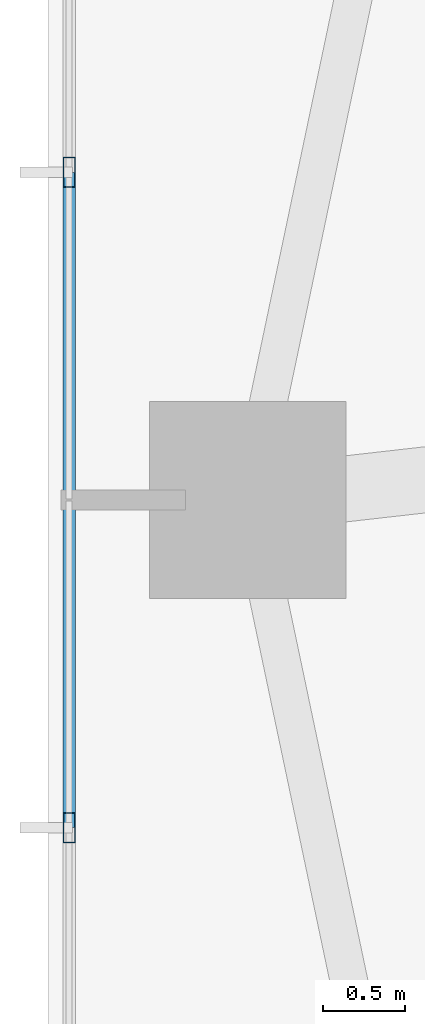
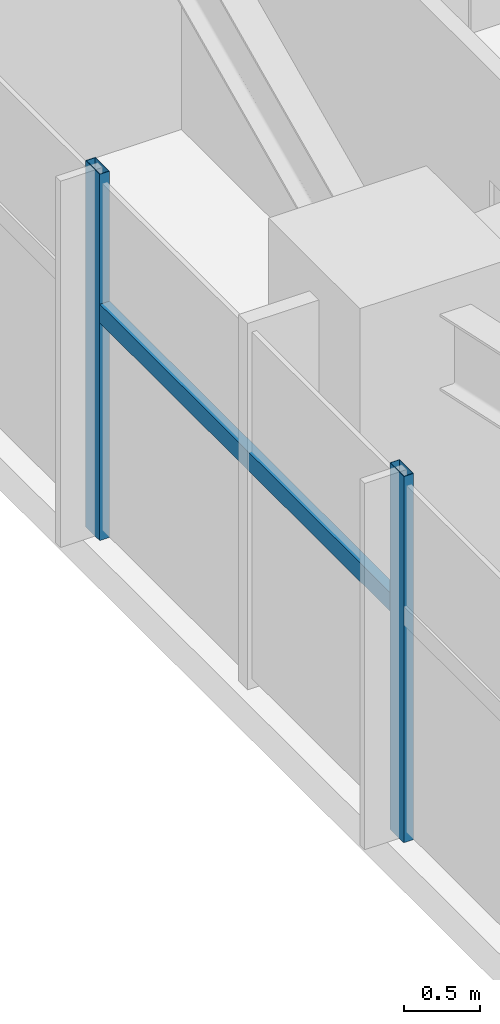
# One storey, part 4 of 25: 3 members, 1 element without a shape of its own.
"""IFC4 building model written with IfcOpenShell, lengths in metres."""

from ifc_helpers import new_model, si_unit, direction, frame, origin, origin_2d, place, context, subcontext, project, spatial, hollow_rectangle, extrude, source, transform, mapped, material, material_profile, profile_set, type_object, type_shapes, element, aggregate, save


model = new_model("IFC4")

# Units and contexts
model_context = context("Model", 3, precision=1e-05, world=origin(), true_north=direction((0.0, 1.0)))
body_context = subcontext(model_context, "Body", "Model", "MODEL_VIEW")
ifc_project = project(units=[si_unit("LENGTHUNIT", "METRE"), si_unit("AREAUNIT", "SQUARE_METRE"), si_unit("VOLUMEUNIT", "CUBIC_METRE"), si_unit("PLANEANGLEUNIT", "RADIAN"), si_unit("MASSUNIT", "GRAM", prefix="KILO")], contexts=[model_context])

# Site, building, storey
site_placement = place(None, origin())
site = spatial("IfcSite", under=ifc_project, at=site_placement, CompositionType="ELEMENT")
building_placement = place(site_placement, origin())
building = spatial("IfcBuilding", under=site, at=building_placement, Name="Astriad Promenade Condominiums", CompositionType="ELEMENT")
storey_placement = place(building_placement, frame((0.0, 0.0, 29.39990234375)))
storey = spatial("IfcBuildingStorey", under=building, at=storey_placement, Name="L07", CompositionType="ELEMENT", Elevation=29.39990234375)

# Curtain wall, members
ifc_material_1 = material(Name="Anodised aluminium Black Dark Glass Unitised", Category="aluminium")
curtain_wall_type = type_object("IfcCurtainWallType", Name="CW-B1-DARK", PredefinedType="USERDEFINED", material=ifc_material_1)
curtain_wall_placement = place(storey_placement, origin())
curtain_wall = element("IfcCurtainWall", 1, at=curtain_wall_placement, inside=storey, type_object=curtain_wall_type, Name="CW-L07-W", ObjectType="UNITISED_CURTAIN_WALL", PredefinedType="USERDEFINED")
ifc_material_2 = material(Name="Anodised aluminium 6063-T6 Black", Category="aluminium")
ifc_material_profile_1 = material_profile(ifc_material_2, hollow_rectangle(XDim=0.074951171875, YDim=0.14990234375, WallThickness=0.004150390625, at=origin_2d()), Name="ALU-TRN-75X150")
ifc_profile_set_1 = profile_set([ifc_material_profile_1], Name="Anodised aluminium 6063-T6 Black")
member_type_1 = type_object("IfcMemberType", Name="TRN-ALU-TRN-75X150", PredefinedType="USERDEFINED", material=ifc_profile_set_1)
shared_shape_1 = source(origin(), body_context, "Body", "SweptSolid", [
    extrude(hollow_rectangle(XDim=0.074951171875, YDim=0.14990234375, WallThickness=0.004150390625, at=origin_2d()), origin(), (0.0, 0.0, 1.0), 4.0),
])
type_shapes(member_type_1, [shared_shape_1])
member_1_placement = place(storey_placement, frame((5.929931640625, 13.199951171875, 1.822998046875), z_axis=(0.0, 1.0, 0.0), x_axis=(-1.0, 0.0, 0.0)))
member_1 = element("IfcMember", 2, at=member_1_placement, type_object=member_type_1, Name="CW-L07-W-TRN-02-0", ObjectType="TRANSOM", PredefinedType="USERDEFINED", context=body_context, shape_type="MappedRepresentation", body=[
    mapped(shared_shape_1, transform((0.0, 0.0, 0.0), scale=1.0)),
])
ifc_material_profile_2 = material_profile(ifc_material_2, hollow_rectangle(XDim=0.074951171875, YDim=0.18505859375, WallThickness=0.00439453125, at=origin_2d()), Name="ALU-MUL-75X185")
ifc_profile_set_2 = profile_set([ifc_material_profile_2], Name="Anodised aluminium 6063-T6 Black")
member_type_2 = type_object("IfcMemberType", Name="MUL-ALU-MUL-75X185", PredefinedType="MULLION", material=ifc_profile_set_2)
shared_shape_2 = source(origin(), body_context, "Body", "SweptSolid", [
    extrude(hollow_rectangle(XDim=0.074951171875, YDim=0.18505859375, WallThickness=0.00439453125, at=origin_2d()), origin(), (0.0, 0.0, 1.0), 2.940185546875),
])
type_shapes(member_type_2, [shared_shape_2])
member_2_placement = place(storey_placement, frame((5.929931640625, 13.199951171875, 0.0), z_axis=(0.0, 0.0, 1.0), x_axis=(1.0, 0.0, 0.0)))
member_2 = element("IfcMember", 3, at=member_2_placement, type_object=member_type_2, Name="CW-L07-W-MUL-02", PredefinedType="MULLION", context=body_context, shape_type="MappedRepresentation", body=[
    mapped(shared_shape_2, transform((0.0, 0.0, 0.0), scale=1.0)),
])
member_3_placement = place(storey_placement, frame((5.929931640625, 17.199951171875, 0.0), z_axis=(0.0, 0.0, 1.0), x_axis=(1.0, 0.0, 0.0)))
member_3 = element("IfcMember", 4, at=member_3_placement, type_object=member_type_2, Name="CW-L07-W-MUL-03", PredefinedType="MULLION", context=body_context, shape_type="MappedRepresentation", body=[
    mapped(shared_shape_2, transform((0.0, 0.0, 0.0), scale=1.0)),
])
aggregate(curtain_wall, [member_2, member_3, member_1])

save(model, "model.ifc")
